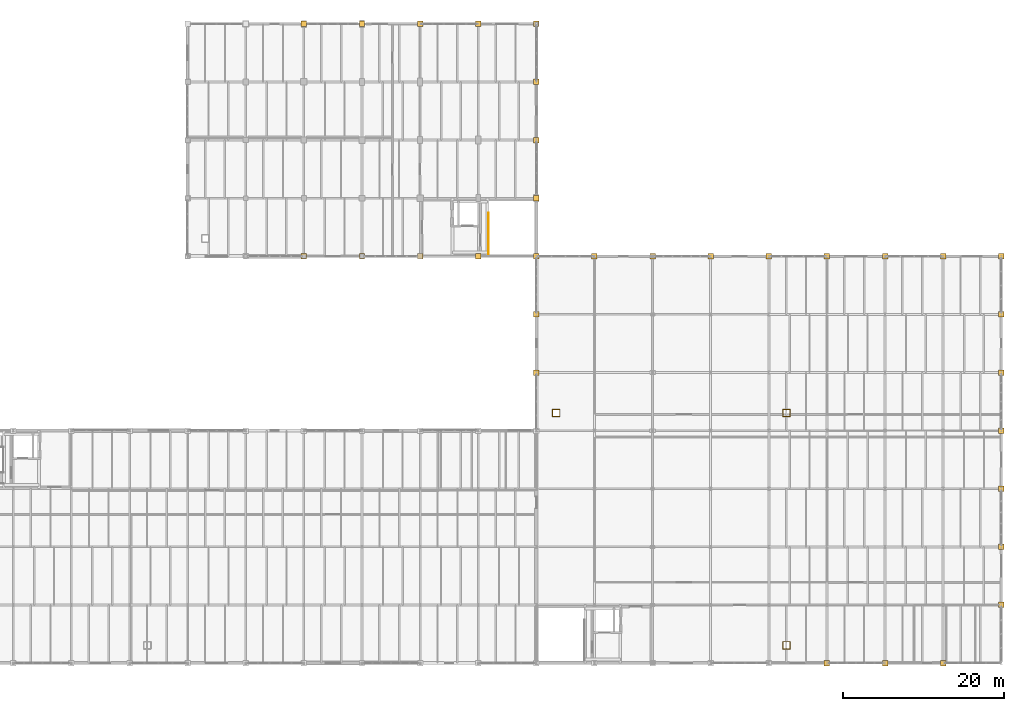
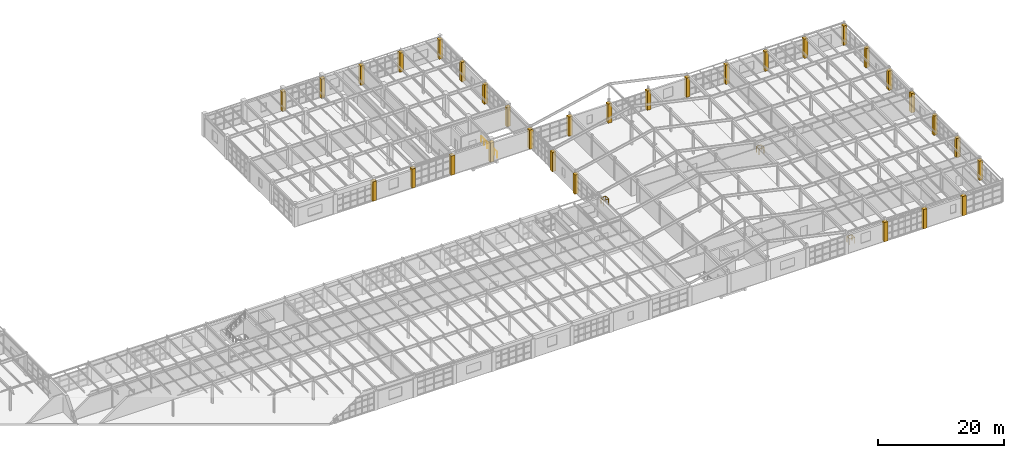
# One storey, part 137 of 137: 32 coverings, 4 railings.
"""IFC4 building model written with IfcOpenShell, lengths in metres."""

import ifcopenshell
import ifcopenshell.guid

model = None  # the IFC model being written
_history = None  # IfcOwnerHistory: only IFC2X3 demands one
_inside = {}  # id of a spatial element -> (the spatial element, [elements in it])
_under = {}  # id of a project, library or spatial element -> (it, [spatial elements below it])
_declared = {}  # id of a project -> (the project, [libraries it declares])
_typed = {}  # id of a type object -> (the type object, [elements of that type])
_made_of = {}  # id of a material, layer set ... -> (it, [elements and type objects made of it])


def new_model(schema):
    """Start an empty IFC model of exactly this schema.

    Asked for "IFC4X3", IfcOpenShell would pick the latest addendum, in which some entities
    have other attributes; the version numbers below select the first issue.
    IFC2X3 requires an IfcOwnerHistory on every rooted entity: one is made here for all.
    """
    global model, _history
    if schema == "IFC4X3":
        model = ifcopenshell.file(schema_version=(4, 3, 0, 0))
    else:
        model = ifcopenshell.file(schema=schema)
    _inside.clear()
    _under.clear()
    _declared.clear()
    _typed.clear()
    _made_of.clear()
    _history = None
    if model.schema == "IFC2X3":
        org = make("IfcOrganization", Name="unknown")
        user = make(
            "IfcPersonAndOrganization",
            ThePerson=make("IfcPerson", FamilyName="unknown"),
            TheOrganization=org,
        )
        app = make(
            "IfcApplication",
            ApplicationDeveloper=org,
            Version="unknown",
            ApplicationFullName="unknown",
            ApplicationIdentifier="unknown",
        )
        _history = make(
            "IfcOwnerHistory",
            OwningUser=user,
            OwningApplication=app,
            ChangeAction="ADDED",
            CreationDate=0,
        )
    return model


def make(cls, **values):
    """One entity of the class cls with the attributes given. An attribute that is None is left unset."""
    return model.create_entity(
        cls, **{name: value for name, value in values.items() if value is not None}
    )


def rooted(cls, **values):
    """An entity with a GlobalId (a new one), such as an element, a storey or a relation."""
    return make(cls, GlobalId=ifcopenshell.guid.new(), OwnerHistory=_history, **values)


def si_unit(unit_type, name, prefix=None):
    """IfcSIUnit, for example si_unit("LENGTHUNIT", "METRE", prefix="MILLI")."""
    return make("IfcSIUnit", UnitType=unit_type, Prefix=prefix, Name=name)


def assignment(units):
    """IfcUnitAssignment: the units of a project."""
    return None if units is None else make("IfcUnitAssignment", Units=units)


def point(xyz):
    """IfcCartesianPoint."""
    return None if xyz is None else make("IfcCartesianPoint", Coordinates=xyz)


def direction(xyz):
    """IfcDirection."""
    return None if xyz is None else make("IfcDirection", DirectionRatios=xyz)


def frame(location, z_axis=None, x_axis=None):
    """IfcAxis2Placement3D, a coordinate frame: its origin and axes. An axis left out is left unset."""
    return make(
        "IfcAxis2Placement3D",
        Location=point(location),
        Axis=direction(z_axis),
        RefDirection=direction(x_axis),
    )


def frame_2d(location, x_axis=None):
    """IfcAxis2Placement2D, a coordinate frame in the plane: its origin and x axis."""
    return make(
        "IfcAxis2Placement2D", Location=point(location), RefDirection=direction(x_axis)
    )


def origin():
    """The frame at (0, 0, 0) with its axes left unset."""
    return frame((0.0, 0.0, 0.0))


def origin_2d():
    """The frame at (0, 0) in the plane with its x axis left unset."""
    return frame_2d((0.0, 0.0))


def place(relative_to, where):
    """IfcLocalPlacement: puts the frame where relative to a parent placement (None: the world)."""
    return make(
        "IfcLocalPlacement", PlacementRelTo=relative_to, RelativePlacement=where
    )


def context(
    kind, dimensions, precision=None, world=None, true_north=None, identifier=None
):
    """IfcGeometricRepresentationContext, for example the 3D "Model" context."""
    return make(
        "IfcGeometricRepresentationContext",
        ContextIdentifier=identifier,
        ContextType=kind,
        CoordinateSpaceDimension=dimensions,
        Precision=precision,
        WorldCoordinateSystem=world,
        TrueNorth=true_north,
    )


def subcontext(parent, identifier, kind, view, scale=None):
    """IfcGeometricRepresentationSubContext, for example "Body" below "Model"."""
    return make(
        "IfcGeometricRepresentationSubContext",
        ContextIdentifier=identifier,
        ContextType=kind,
        ParentContext=parent,
        TargetScale=scale,
        TargetView=view,
    )


def project(units=None, contexts=None):
    """IfcProject with its units and contexts."""
    return rooted(
        "IfcProject",
        Name="project",
        RepresentationContexts=contexts,
        UnitsInContext=assignment(units),
    )


def spatial(cls, under=None, at=None, **own):
    """A site, building, storey or space (cls), placed at a placement, below another one or the project."""
    s = rooted(cls, ObjectPlacement=at, **own)
    if under is not None:
        _under.setdefault(under.id(), (under, []))[1].append(s)
    return s


def polyline(points):
    """IfcPolyline through the points."""
    return make("IfcPolyline", Points=[point(p) for p in points])


def profile(cls, at=None, kind="AREA", **sizes):
    """A parametric profile (cls). Its sizes go by their IFC names, for example OverallWidth=200.0."""
    return make(cls, ProfileType=kind, Position=at, **sizes)


def circle(**sizes):
    """IfcCircleProfileDef."""
    return profile("IfcCircleProfileDef", **sizes)


def outline(outer, holes=None, kind="AREA"):
    """IfcArbitraryClosedProfileDef: a profile drawn as a closed curve; with holes, ...WithVoids."""
    if holes is None:
        return make("IfcArbitraryClosedProfileDef", ProfileType=kind, OuterCurve=outer)
    return make(
        "IfcArbitraryProfileDefWithVoids",
        ProfileType=kind,
        OuterCurve=outer,
        InnerCurves=holes,
    )


def extrude(swept, where, along, depth):
    """IfcExtrudedAreaSolid: the profile swept, set in the frame where, extruded along a direction by depth."""
    return make(
        "IfcExtrudedAreaSolid",
        SweptArea=swept,
        Position=where,
        ExtrudedDirection=direction(along),
        Depth=depth,
    )


def shape(context_of_items, identifier, shape_type, items):
    """IfcShapeRepresentation: the items that make up one representation, for example the "Body"."""
    return make(
        "IfcShapeRepresentation",
        ContextOfItems=context_of_items,
        RepresentationIdentifier=identifier,
        RepresentationType=shape_type,
        Items=items,
    )


def material(Name=None, Category=None):
    """IfcMaterial."""
    return make("IfcMaterial", Name=Name, Category=Category)


def layer(
    of_material, thickness, ventilated=None, Name=None, Category=None, Priority=None
):
    """IfcMaterialLayer: one layer of a wall or slab, of a material (None: an air gap)."""
    return make(
        "IfcMaterialLayer",
        Material=of_material,
        LayerThickness=thickness,
        IsVentilated=ventilated,
        Name=Name,
        Category=Category,
        Priority=Priority,
    )


def layer_set(layers, Name=None):
    """IfcMaterialLayerSet."""
    return make("IfcMaterialLayerSet", MaterialLayers=layers, LayerSetName=Name)


def made_of(thing, what):
    """Note that an element or type object is made of a material, layer set ...; save() writes the relation."""
    if what is not None:
        _made_of.setdefault(what.id(), (what, []))[1].append(thing)
    return thing


def type_object(cls, material=None, **own):
    """A type object (cls), such as IfcWallType, which elements share."""
    return made_of(rooted(cls, **own), material)


def element(
    cls,
    number,
    at=None,
    inside=None,
    cuts=None,
    type_object=None,
    material=None,
    context=None,
    identifier="Body",
    shape_type=None,
    held_by="IfcProductDefinitionShape",
    body=None,
    shapes=None,
    **own,
):
    """One element of the class cls, such as IfcWall. Its Tag is "e" and its number.

    at: its placement. inside: the storey or other place that contains it. cuts: it is an
    opening in that element (IfcRelVoidsElement). A single representation is given by context,
    identifier, shape_type and body (its items); several are given by shapes. held_by: the class
    of the entity that holds the representations. save() writes the other relations.
    """
    e = rooted(cls, Tag="e%d" % number, ObjectPlacement=at, **own)
    if body is not None:
        shapes = [shape(context, identifier, shape_type, body)]
    if shapes is not None:
        e.Representation = make(held_by, Representations=shapes)
    if inside is not None:
        _inside.setdefault(inside.id(), (inside, []))[1].append(e)
    if cuts is not None:
        rooted(
            "IfcRelVoidsElement", RelatingBuildingElement=cuts, RelatedOpeningElement=e
        )
    if type_object is not None:
        _typed.setdefault(type_object.id(), (type_object, []))[1].append(e)
    return made_of(e, material)


def aggregate(whole, parts):
    """IfcRelAggregates: a whole, such as a stair, and the parts it consists of."""
    return rooted("IfcRelAggregates", RelatingObject=whole, RelatedObjects=parts)


def save(model, path):
    """Write the relations noted so far, then the file.

    IfcRelAggregates (storeys below a building ...), IfcRelContainedInSpatialStructure (elements
    in a storey), IfcRelDefinesByType, IfcRelAssociatesMaterial and IfcRelDeclares: one each for
    every whole, place, type object, material and project.
    """
    for whole, parts in _under.values():
        aggregate(whole, parts)
    for where, things in _inside.values():
        rooted(
            "IfcRelContainedInSpatialStructure",
            RelatedElements=things,
            RelatingStructure=where,
        )
    for kind, things in _typed.values():
        rooted("IfcRelDefinesByType", RelatedObjects=things, RelatingType=kind)
    for what, things in _made_of.values():
        rooted("IfcRelAssociatesMaterial", RelatedObjects=things, RelatingMaterial=what)
    for by, libraries in _declared.values():
        rooted("IfcRelDeclares", RelatingContext=by, RelatedDefinitions=libraries)
    model.write(path)


model = new_model("IFC4")

# Units and contexts
model_context = context("Model", 3, precision=1e-05, world=origin(), true_north=direction((0.0, 1.0)))
body_context = subcontext(model_context, "Body", "Model", "MODEL_VIEW")
ifc_project = project(units=[si_unit("LENGTHUNIT", "METRE"), si_unit("AREAUNIT", "SQUARE_METRE"), si_unit("VOLUMEUNIT", "CUBIC_METRE"), si_unit("PLANEANGLEUNIT", "RADIAN"), si_unit("MASSUNIT", "GRAM", prefix="KILO")], contexts=[model_context])

# Site, building, storey
site_placement = place(None, origin())
site = spatial("IfcSite", under=ifc_project, at=site_placement, CompositionType="ELEMENT")
building_placement = place(site_placement, origin())
building = spatial("IfcBuilding", under=site, at=building_placement, Name="Kemerveld Promenade Tramway Depot", CompositionType="ELEMENT")
storey_placement = place(building_placement, frame((0.0, 0.0, 5.39990234375)))
storey = spatial("IfcBuildingStorey", under=building, at=storey_placement, Name="L01", CompositionType="ELEMENT", Elevation=5.39990234375)

# Coverings
ifc_material_1 = material(Name="Dressed Harare granite ashlar cladding", Category="masonry")
ifc_layer = layer(ifc_material_1, 0.050048828125)
ifc_layer_set = layer_set([ifc_layer], Name="COV-CLAD-GRAN")
covering_type = type_object("IfcCoveringType", Name="COV-CLAD-GRAN", PredefinedType="CLADDING", material=ifc_layer_set)
covering_1_placement = place(storey_placement, origin())
element("IfcCovering", 1, at=covering_1_placement, inside=storey, type_object=covering_type, Name="CLAD-PIER-L01-254", PredefinedType="CLADDING", context=body_context, shape_type="SweptSolid", body=[
    extrude(outline(polyline([(129.260009765625, 78.860107421875), (129.93994140625, 78.860107421875), (129.93994140625, 79.5400390625), (129.260009765625, 79.5400390625), (129.260009765625, 78.860107421875)])), origin(), (0.0, 0.0, 1.0), 3.75),
])
covering_2_placement = place(storey_placement, origin())
element("IfcCovering", 2, at=covering_2_placement, inside=storey, type_object=covering_type, Name="CLAD-PIER-L01-255", PredefinedType="CLADDING", context=body_context, shape_type="SweptSolid", body=[
    extrude(outline(polyline([(136.4599609375, 78.860107421875), (137.139892578125, 78.860107421875), (137.139892578125, 79.5400390625), (136.4599609375, 79.5400390625), (136.4599609375, 78.860107421875)])), origin(), (0.0, 0.0, 1.0), 3.75),
])
covering_3_placement = place(storey_placement, origin())
element("IfcCovering", 3, at=covering_3_placement, inside=storey, type_object=covering_type, Name="CLAD-PIER-L01-256", PredefinedType="CLADDING", context=body_context, shape_type="SweptSolid", body=[
    extrude(outline(polyline([(143.659912109375, 78.860107421875), (144.340087890625, 78.860107421875), (144.340087890625, 79.5400390625), (143.659912109375, 79.5400390625), (143.659912109375, 78.860107421875)])), origin(), (0.0, 0.0, 1.0), 3.75),
])
covering_4_placement = place(storey_placement, origin())
element("IfcCovering", 4, at=covering_4_placement, inside=storey, type_object=covering_type, Name="CLAD-PIER-L01-257", PredefinedType="CLADDING", context=body_context, shape_type="SweptSolid", body=[
    extrude(outline(polyline([(150.860107421875, 78.860107421875), (151.5400390625, 78.860107421875), (151.5400390625, 79.5400390625), (150.860107421875, 79.5400390625), (150.860107421875, 78.860107421875)])), origin(), (0.0, 0.0, 1.0), 3.75),
])
covering_5_placement = place(storey_placement, origin())
element("IfcCovering", 5, at=covering_5_placement, inside=storey, type_object=covering_type, Name="CLAD-PIER-L01-258", PredefinedType="CLADDING", context=body_context, shape_type="SweptSolid", body=[
    extrude(outline(polyline([(158.06005859375, 78.860107421875), (158.739990234375, 78.860107421875), (158.739990234375, 79.5400390625), (158.06005859375, 79.5400390625), (158.06005859375, 78.860107421875)])), origin(), (0.0, 0.0, 1.0), 3.75),
])
covering_6_placement = place(storey_placement, origin())
element("IfcCovering", 6, at=covering_6_placement, inside=storey, type_object=covering_type, Name="CLAD-PIER-L01-259", PredefinedType="CLADDING", context=body_context, shape_type="SweptSolid", body=[
    extrude(outline(polyline([(158.06005859375, 71.659912109375), (158.739990234375, 71.659912109375), (158.739990234375, 72.340087890625), (158.06005859375, 72.340087890625), (158.06005859375, 71.659912109375)])), origin(), (0.0, 0.0, 1.0), 3.75),
])
covering_7_placement = place(storey_placement, origin())
element("IfcCovering", 7, at=covering_7_placement, inside=storey, type_object=covering_type, Name="CLAD-PIER-L01-260", PredefinedType="CLADDING", context=body_context, shape_type="SweptSolid", body=[
    extrude(outline(polyline([(158.06005859375, 64.4599609375), (158.739990234375, 64.4599609375), (158.739990234375, 65.139892578125), (158.06005859375, 65.139892578125), (158.06005859375, 64.4599609375)])), origin(), (0.0, 0.0, 1.0), 3.75),
])
covering_8_placement = place(storey_placement, origin())
element("IfcCovering", 8, at=covering_8_placement, inside=storey, type_object=covering_type, Name="CLAD-PIER-L01-261", PredefinedType="CLADDING", context=body_context, shape_type="SweptSolid", body=[
    extrude(outline(polyline([(158.06005859375, 57.260009765625), (158.739990234375, 57.260009765625), (158.739990234375, 57.93994140625), (158.06005859375, 57.93994140625), (158.06005859375, 57.260009765625)])), origin(), (0.0, 0.0, 1.0), 3.75),
])
covering_9_placement = place(storey_placement, origin())
element("IfcCovering", 9, at=covering_9_placement, inside=storey, type_object=covering_type, Name="CLAD-PIER-L01-262", PredefinedType="CLADDING", context=body_context, shape_type="SweptSolid", body=[
    extrude(outline(polyline([(158.06005859375, 50.06005859375), (158.739990234375, 50.06005859375), (158.739990234375, 50.739990234375), (158.06005859375, 50.739990234375), (158.06005859375, 50.06005859375)])), origin(), (0.0, 0.0, 1.0), 3.75),
])
covering_10_placement = place(storey_placement, origin())
element("IfcCovering", 10, at=covering_10_placement, inside=storey, type_object=covering_type, Name="CLAD-PIER-L01-263", PredefinedType="CLADDING", context=body_context, shape_type="SweptSolid", body=[
    extrude(outline(polyline([(150.860107421875, 50.06005859375), (151.5400390625, 50.06005859375), (151.5400390625, 50.739990234375), (150.860107421875, 50.739990234375), (150.860107421875, 50.06005859375)])), origin(), (0.0, 0.0, 1.0), 3.75),
])
covering_11_placement = place(storey_placement, origin())
element("IfcCovering", 11, at=covering_11_placement, inside=storey, type_object=covering_type, Name="CLAD-PIER-L01-264", PredefinedType="CLADDING", context=body_context, shape_type="SweptSolid", body=[
    extrude(outline(polyline([(143.659912109375, 50.06005859375), (144.340087890625, 50.06005859375), (144.340087890625, 50.739990234375), (143.659912109375, 50.739990234375), (143.659912109375, 50.06005859375)])), origin(), (0.0, 0.0, 1.0), 3.75),
])
covering_12_placement = place(storey_placement, origin())
element("IfcCovering", 12, at=covering_12_placement, inside=storey, type_object=covering_type, Name="CLAD-PIER-L01-265", PredefinedType="CLADDING", context=body_context, shape_type="SweptSolid", body=[
    extrude(outline(polyline([(136.4599609375, 50.06005859375), (137.139892578125, 50.06005859375), (137.139892578125, 50.739990234375), (136.4599609375, 50.739990234375), (136.4599609375, 50.06005859375)])), origin(), (0.0, 0.0, 1.0), 3.75),
])
covering_13_placement = place(storey_placement, origin())
element("IfcCovering", 13, at=covering_13_placement, inside=storey, type_object=covering_type, Name="CLAD-PIER-L01-266", PredefinedType="CLADDING", context=body_context, shape_type="SweptSolid", body=[
    extrude(outline(polyline([(129.260009765625, 50.06005859375), (129.93994140625, 50.06005859375), (129.93994140625, 50.739990234375), (129.260009765625, 50.739990234375), (129.260009765625, 50.06005859375)])), origin(), (0.0, 0.0, 1.0), 3.75),
])
covering_14_placement = place(storey_placement, origin())
element("IfcCovering", 14, at=covering_14_placement, inside=storey, type_object=covering_type, Name="CLAD-PIER-L01-269", PredefinedType="CLADDING", context=body_context, shape_type="SweptSolid", body=[
    extrude(outline(polyline([(165.260009765625, 50.06005859375), (165.93994140625, 50.06005859375), (165.93994140625, 50.739990234375), (165.260009765625, 50.739990234375), (165.260009765625, 50.06005859375)])), origin(), (0.0, 0.0, 1.0), 3.75),
])
covering_15_placement = place(storey_placement, origin())
element("IfcCovering", 15, at=covering_15_placement, inside=storey, type_object=covering_type, Name="CLAD-PIER-L01-270", PredefinedType="CLADDING", context=body_context, shape_type="SweptSolid", body=[
    extrude(outline(polyline([(172.4599609375, 50.06005859375), (173.139892578125, 50.06005859375), (173.139892578125, 50.739990234375), (172.4599609375, 50.739990234375), (172.4599609375, 50.06005859375)])), origin(), (0.0, 0.0, 1.0), 3.75),
])
covering_16_placement = place(storey_placement, origin())
element("IfcCovering", 16, at=covering_16_placement, inside=storey, type_object=covering_type, Name="CLAD-PIER-L01-271", PredefinedType="CLADDING", context=body_context, shape_type="SweptSolid", body=[
    extrude(outline(polyline([(179.659912109375, 50.06005859375), (180.340087890625, 50.06005859375), (180.340087890625, 50.739990234375), (179.659912109375, 50.739990234375), (179.659912109375, 50.06005859375)])), origin(), (0.0, 0.0, 1.0), 3.75),
])
covering_17_placement = place(storey_placement, origin())
element("IfcCovering", 17, at=covering_17_placement, inside=storey, type_object=covering_type, Name="CLAD-PIER-L01-272", PredefinedType="CLADDING", context=body_context, shape_type="SweptSolid", body=[
    extrude(outline(polyline([(186.860107421875, 50.06005859375), (187.5400390625, 50.06005859375), (187.5400390625, 50.739990234375), (186.860107421875, 50.739990234375), (186.860107421875, 50.06005859375)])), origin(), (0.0, 0.0, 1.0), 3.75),
])
covering_18_placement = place(storey_placement, origin())
element("IfcCovering", 18, at=covering_18_placement, inside=storey, type_object=covering_type, Name="CLAD-PIER-L01-273", PredefinedType="CLADDING", context=body_context, shape_type="SweptSolid", body=[
    extrude(outline(polyline([(194.06005859375, 50.06005859375), (194.739990234375, 50.06005859375), (194.739990234375, 50.739990234375), (194.06005859375, 50.739990234375), (194.06005859375, 50.06005859375)])), origin(), (0.0, 0.0, 1.0), 3.75),
])
covering_19_placement = place(storey_placement, origin())
element("IfcCovering", 19, at=covering_19_placement, inside=storey, type_object=covering_type, Name="CLAD-PIER-L01-274", PredefinedType="CLADDING", context=body_context, shape_type="SweptSolid", body=[
    extrude(outline(polyline([(201.260009765625, 50.06005859375), (201.93994140625, 50.06005859375), (201.93994140625, 50.739990234375), (201.260009765625, 50.739990234375), (201.260009765625, 50.06005859375)])), origin(), (0.0, 0.0, 1.0), 3.75),
])
covering_20_placement = place(storey_placement, origin())
element("IfcCovering", 20, at=covering_20_placement, inside=storey, type_object=covering_type, Name="CLAD-PIER-L01-275", PredefinedType="CLADDING", context=body_context, shape_type="SweptSolid", body=[
    extrude(outline(polyline([(208.4599609375, 50.06005859375), (209.139892578125, 50.06005859375), (209.139892578125, 50.739990234375), (208.4599609375, 50.739990234375), (208.4599609375, 50.06005859375)])), origin(), (0.0, 0.0, 1.0), 3.75),
])
covering_21_placement = place(storey_placement, origin())
element("IfcCovering", 21, at=covering_21_placement, inside=storey, type_object=covering_type, Name="CLAD-PIER-L01-276", PredefinedType="CLADDING", context=body_context, shape_type="SweptSolid", body=[
    extrude(outline(polyline([(215.659912109375, 50.06005859375), (216.340087890625, 50.06005859375), (216.340087890625, 50.739990234375), (215.659912109375, 50.739990234375), (215.659912109375, 50.06005859375)])), origin(), (0.0, 0.0, 1.0), 3.75),
])
covering_22_placement = place(storey_placement, origin())
element("IfcCovering", 22, at=covering_22_placement, inside=storey, type_object=covering_type, Name="CLAD-PIER-L01-277", PredefinedType="CLADDING", context=body_context, shape_type="SweptSolid", body=[
    extrude(outline(polyline([(215.659912109375, 42.860107421875), (216.340087890625, 42.860107421875), (216.340087890625, 43.5400390625), (215.659912109375, 43.5400390625), (215.659912109375, 42.860107421875)])), origin(), (0.0, 0.0, 1.0), 3.75),
])
covering_23_placement = place(storey_placement, origin())
element("IfcCovering", 23, at=covering_23_placement, inside=storey, type_object=covering_type, Name="CLAD-PIER-L01-278", PredefinedType="CLADDING", context=body_context, shape_type="SweptSolid", body=[
    extrude(outline(polyline([(215.659912109375, 35.659912109375), (216.340087890625, 35.659912109375), (216.340087890625, 36.340087890625), (215.659912109375, 36.340087890625), (215.659912109375, 35.659912109375)])), origin(), (0.0, 0.0, 1.0), 3.75),
])
covering_24_placement = place(storey_placement, origin())
element("IfcCovering", 24, at=covering_24_placement, inside=storey, type_object=covering_type, Name="CLAD-PIER-L01-279", PredefinedType="CLADDING", context=body_context, shape_type="SweptSolid", body=[
    extrude(outline(polyline([(215.659912109375, 28.4599609375), (216.340087890625, 28.4599609375), (216.340087890625, 29.139892578125), (215.659912109375, 29.139892578125), (215.659912109375, 28.4599609375)])), origin(), (0.0, 0.0, 1.0), 3.75),
])
covering_25_placement = place(storey_placement, origin())
element("IfcCovering", 25, at=covering_25_placement, inside=storey, type_object=covering_type, Name="CLAD-PIER-L01-280", PredefinedType="CLADDING", context=body_context, shape_type="SweptSolid", body=[
    extrude(outline(polyline([(215.659912109375, 21.260009765625), (216.340087890625, 21.260009765625), (216.340087890625, 21.93994140625), (215.659912109375, 21.93994140625), (215.659912109375, 21.260009765625)])), origin(), (0.0, 0.0, 1.0), 3.75),
])
covering_26_placement = place(storey_placement, origin())
element("IfcCovering", 26, at=covering_26_placement, inside=storey, type_object=covering_type, Name="CLAD-PIER-L01-281", PredefinedType="CLADDING", context=body_context, shape_type="SweptSolid", body=[
    extrude(outline(polyline([(215.659912109375, 14.06005859375), (216.340087890625, 14.06005859375), (216.340087890625, 14.739990234375), (215.659912109375, 14.739990234375), (215.659912109375, 14.06005859375)])), origin(), (0.0, 0.0, 1.0), 3.75),
])
covering_27_placement = place(storey_placement, origin())
element("IfcCovering", 27, at=covering_27_placement, inside=storey, type_object=covering_type, Name="CLAD-PIER-L01-282", PredefinedType="CLADDING", context=body_context, shape_type="SweptSolid", body=[
    extrude(outline(polyline([(215.659912109375, 6.860107421875), (216.340087890625, 6.860107421875), (216.340087890625, 7.5400390625), (215.659912109375, 7.5400390625), (215.659912109375, 6.860107421875)])), origin(), (0.0, 0.0, 1.0), 3.75),
])
covering_28_placement = place(storey_placement, origin())
element("IfcCovering", 28, at=covering_28_placement, inside=storey, type_object=covering_type, Name="CLAD-PIER-L01-283", PredefinedType="CLADDING", context=body_context, shape_type="SweptSolid", body=[
    extrude(outline(polyline([(208.4599609375, -0.340087890625), (209.139892578125, -0.340087890625), (209.139892578125, 0.340087890625), (208.4599609375, 0.340087890625), (208.4599609375, -0.340087890625)])), origin(), (0.0, 0.0, 1.0), 3.75),
])
covering_29_placement = place(storey_placement, origin())
element("IfcCovering", 29, at=covering_29_placement, inside=storey, type_object=covering_type, Name="CLAD-PIER-L01-284", PredefinedType="CLADDING", context=body_context, shape_type="SweptSolid", body=[
    extrude(outline(polyline([(201.260009765625, -0.340087890625), (201.93994140625, -0.340087890625), (201.93994140625, 0.340087890625), (201.260009765625, 0.340087890625), (201.260009765625, -0.340087890625)])), origin(), (0.0, 0.0, 1.0), 3.75),
])
covering_30_placement = place(storey_placement, origin())
element("IfcCovering", 30, at=covering_30_placement, inside=storey, type_object=covering_type, Name="CLAD-PIER-L01-285", PredefinedType="CLADDING", context=body_context, shape_type="SweptSolid", body=[
    extrude(outline(polyline([(194.06005859375, -0.340087890625), (194.739990234375, -0.340087890625), (194.739990234375, 0.340087890625), (194.06005859375, 0.340087890625), (194.06005859375, -0.340087890625)])), origin(), (0.0, 0.0, 1.0), 3.75),
])
covering_31_placement = place(storey_placement, origin())
element("IfcCovering", 31, at=covering_31_placement, inside=storey, type_object=covering_type, Name="CLAD-PIER-L01-291", PredefinedType="CLADDING", context=body_context, shape_type="SweptSolid", body=[
    extrude(outline(polyline([(158.06005859375, 35.659912109375), (158.739990234375, 35.659912109375), (158.739990234375, 36.340087890625), (158.06005859375, 36.340087890625), (158.06005859375, 35.659912109375)])), origin(), (0.0, 0.0, 1.0), 3.75),
])
covering_32_placement = place(storey_placement, origin())
element("IfcCovering", 32, at=covering_32_placement, inside=storey, type_object=covering_type, Name="CLAD-PIER-L01-292", PredefinedType="CLADDING", context=body_context, shape_type="SweptSolid", body=[
    extrude(outline(polyline([(158.06005859375, 42.860107421875), (158.739990234375, 42.860107421875), (158.739990234375, 43.5400390625), (158.06005859375, 43.5400390625), (158.06005859375, 42.860107421875)])), origin(), (0.0, 0.0, 1.0), 3.75),
])

# Railings
ifc_material_2 = material(Name="Galvanised painted steel balustrade", Category="steel")
railing_type = type_object("IfcRailingType", Name="RL-GRD-1100", PredefinedType="GUARDRAIL", material=ifc_material_2)
railing_placement = place(storey_placement, frame((152.449951171875, 50.679931640625, 0.0)))
element("IfcRailing", 33, at=railing_placement, inside=storey, type_object=railing_type, Name="RL-WELL-C6-L01", PredefinedType="GUARDRAIL", context=body_context, shape_type="SweptSolid", body=[
    extrude(circle(Radius=0.02392578125, at=origin_2d()), frame((0.0, 0.0, 1.09619140625), z_axis=(0.0, 1.0, 0.0), x_axis=(-1.0, 0.0, 0.0)), (0.0, 0.0, 1.0), 5.090087890625),
    extrude(circle(Radius=0.02099609375, at=origin_2d()), origin(), (0.0, 0.0, 1.0), 1.072021484375),
    extrude(circle(Radius=0.02099609375, at=origin_2d()), frame((0.0, 1.01806640625, 0.0)), (0.0, 0.0, 1.0), 1.072021484375),
    extrude(circle(Radius=0.02099609375, at=origin_2d()), frame((0.0, 2.0361328125, 0.0)), (0.0, 0.0, 1.0), 1.072021484375),
    extrude(circle(Radius=0.02099609375, at=origin_2d()), frame((0.0, 3.053955078125, 0.0)), (0.0, 0.0, 1.0), 1.072021484375),
    extrude(circle(Radius=0.02099609375, at=origin_2d()), frame((0.0, 4.072021484375, 0.0)), (0.0, 0.0, 1.0), 1.072021484375),
    extrude(circle(Radius=0.02099609375, at=origin_2d()), frame((0.0, 5.090087890625, 0.0)), (0.0, 0.0, 1.0), 1.072021484375),
])
for number, where, name in (
    (34, (188.9599609375, 1.760009765625, 0.0), "RL-DUCT-L01-04"),
    (35, (160.419921875, 30.56005859375, 0.0), "RL-DUCT-L01-05"),
    (36, (188.9599609375, 30.56005859375, 0.0), "RL-DUCT-L01-06"),
):
    element("IfcRailing", number, at=place(storey_placement, frame(where)), inside=storey, type_object=railing_type, Name=name, PredefinedType="GUARDRAIL", context=body_context, shape_type="SweptSolid", body=[
        extrude(circle(Radius=0.02392578125, at=origin_2d()), frame((0.0, 0.0, 1.09619140625), z_axis=(1.0, 0.0, 0.0), x_axis=(0.0, 1.0, 0.0)), (0.0, 0.0, 1.0), 0.880126953125),
        extrude(circle(Radius=0.02392578125, at=origin_2d()), frame((0.880126953125, 0.0, 1.09619140625), z_axis=(0.0, 1.0, 0.0), x_axis=(-1.0, 0.0, 0.0)), (0.0, 0.0, 1.0), 0.8798828125),
        extrude(circle(Radius=0.02392578125, at=origin_2d()), frame((0.880126953125, 0.8798828125, 1.09619140625), z_axis=(-1.0, 0.0, 0.0), x_axis=(0.0, -1.0, 0.0)), (0.0, 0.0, 1.0), 0.880126953125),
        extrude(circle(Radius=0.02392578125, at=origin_2d()), frame((0.0, 0.8798828125, 1.09619140625), z_axis=(0.0, -1.0, 0.0), x_axis=(1.0, 0.0, 0.0)), (0.0, 0.0, 1.0), 0.81982421875),
        extrude(circle(Radius=0.02099609375, at=origin_2d()), origin(), (0.0, 0.0, 1.0), 1.072021484375),
        extrude(circle(Radius=0.02099609375, at=origin_2d()), frame((0.880126953125, 0.0, 0.0)), (0.0, 0.0, 1.0), 1.072021484375),
        extrude(circle(Radius=0.02099609375, at=origin_2d()), frame((0.880126953125, 0.8798828125, 0.0)), (0.0, 0.0, 1.0), 1.072021484375),
        extrude(circle(Radius=0.02099609375, at=origin_2d()), frame((0.0, 0.8798828125, 0.0)), (0.0, 0.0, 1.0), 1.072021484375),
        extrude(circle(Radius=0.02099609375, at=origin_2d()), frame((0.0, 0.06005859375, 0.0)), (0.0, 0.0, 1.0), 1.072021484375),
    ])

save(model, "model.ifc")
